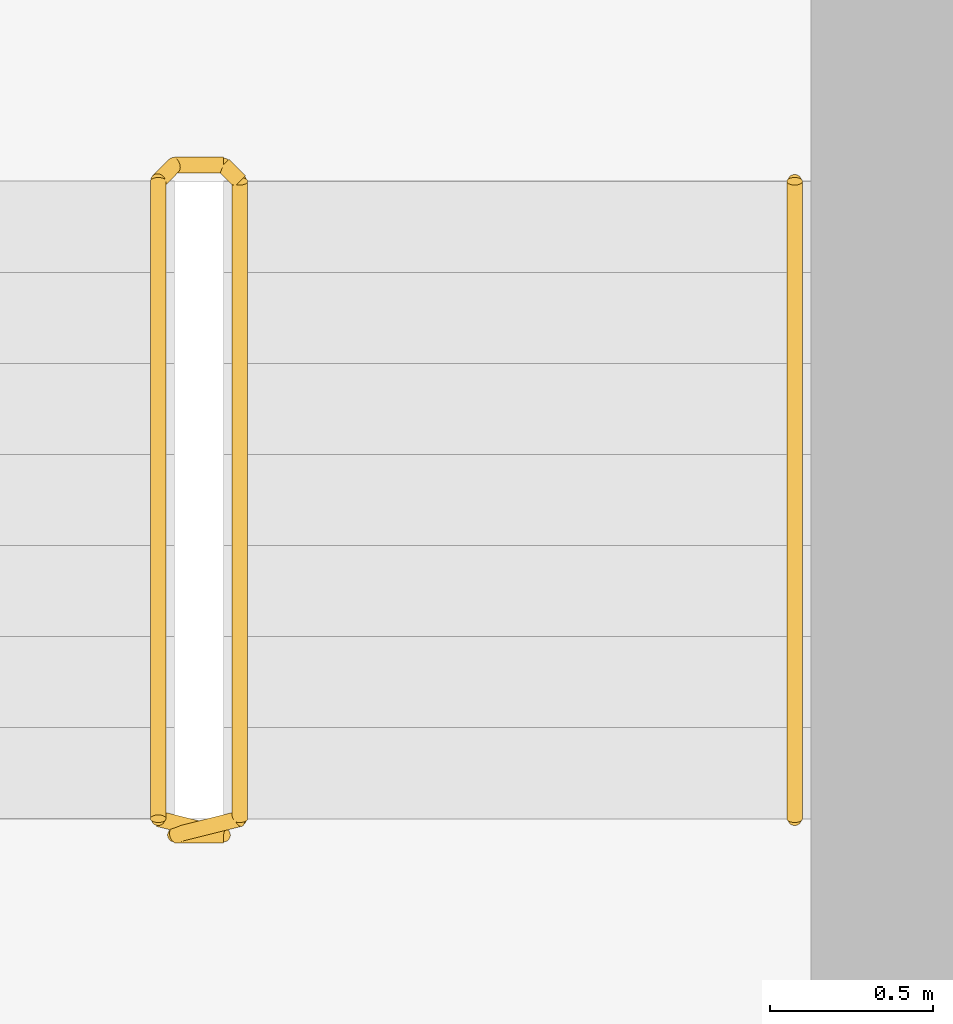
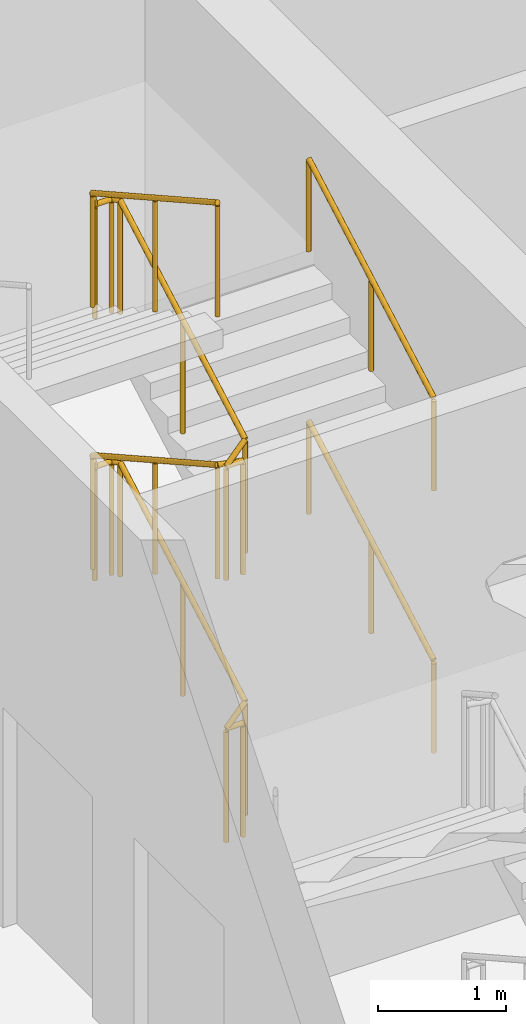
# One storey, part 22 of 22: 3 railings.
"""IFC4 building model written with IfcOpenShell, lengths in metres."""

from ifc_helpers import new_model, si_unit, direction, frame, origin, origin_2d, place, context, subcontext, project, spatial, circle, extrude, material, type_object, element, save


model = new_model("IFC4")

# Units and contexts
model_context = context("Model", 3, precision=1e-05, world=origin(), true_north=direction((0.0, 1.0)))
body_context = subcontext(model_context, "Body", "Model", "MODEL_VIEW")
ifc_project = project(units=[si_unit("LENGTHUNIT", "METRE"), si_unit("AREAUNIT", "SQUARE_METRE"), si_unit("VOLUMEUNIT", "CUBIC_METRE"), si_unit("PLANEANGLEUNIT", "RADIAN"), si_unit("MASSUNIT", "GRAM", prefix="KILO")], contexts=[model_context])

# Site, building, storey
site_placement = place(None, origin())
site = spatial("IfcSite", under=ifc_project, at=site_placement, CompositionType="ELEMENT")
building_placement = place(site_placement, origin())
building = spatial("IfcBuilding", under=site, at=building_placement, Name="Calabash Gate Tower", CompositionType="ELEMENT")
storey_placement = place(building_placement, frame((0.0, 0.0, 86.800048828125)))
storey = spatial("IfcBuildingStorey", under=building, at=storey_placement, Name="L18", CompositionType="ELEMENT", Elevation=86.800048828125)

# Railings
ifc_material_1 = material(Name="Black powder-coated steel balusters", Category="steel")
railing_type_1 = type_object("IfcRailingType", Name="Stair guard RL1100", PredefinedType="GUARDRAIL", material=ifc_material_1)
railing_placement = place(storey_placement, frame((10.300048828125, 13.902587890625, 0.0)))
element("IfcRailing", 1, at=railing_placement, inside=storey, type_object=railing_type_1, Name="L18 ST3 stair guard 1", PredefinedType="GUARDRAIL", context=body_context, shape_type="SweptSolid", body=[
    extrude(circle(Radius=0.02392578125, at=origin_2d()), frame((0.0, 0.0, 1.076171875), z_axis=(-1.0, 0.0, 0.0), x_axis=(0.0, -1.0, 0.0)), (0.0, 0.0, 1.0), 0.150146484375),
    extrude(circle(Radius=0.02392578125, at=origin_2d()), frame((-0.150146484375, 0.0, 1.076171875), z_axis=(0.773438643492, 0.193359660873, 0.603659429067), x_axis=(-0.242535625036, 0.970142500145, 0.0)), (0.0, 0.0, 1.0), 0.2587890625),
    extrude(circle(Radius=0.02392578125, at=origin_2d()), frame((0.050048828125, 0.050048828125, 1.232421875), z_axis=(0.0, 0.872479975208, 0.48864986735), x_axis=(-1.0, 0.0, 0.0)), (0.0, 0.0, 1.0), 2.23828125),
    extrude(circle(Radius=0.02392578125, at=origin_2d()), frame((0.050048828125, 2.0029296875, 2.326171875), z_axis=(-0.707106781187, 0.707106781187, 0.0), x_axis=(-0.707106781187, -0.707106781187, 0.0)), (0.0, 0.0, 1.0), 0.07080078125),
    extrude(circle(Radius=0.02392578125, at=origin_2d()), frame((0.0, 2.052978515625, 2.326171875), z_axis=(-1.0, 0.0, 0.0), x_axis=(0.0, -1.0, 0.0)), (0.0, 0.0, 1.0), 0.150146484375),
    extrude(circle(Radius=0.02392578125, at=origin_2d()), frame((-0.150146484375, 2.052978515625, 2.326171875), z_axis=(-0.290469530425, -0.291893400672, 0.911276958196), x_axis=(0.708833529934, -0.705375805398, 0.0)), (0.0, 0.0, 1.0), 0.17138671875),
    extrude(circle(Radius=0.02392578125, at=origin_2d()), frame((-0.199951171875, 2.0029296875, 2.482421875), z_axis=(0.0, -0.872479975208, 0.48864986735), x_axis=(1.0, 0.0, 0.0)), (0.0, 0.0, 1.0), 2.23828125),
    extrude(circle(Radius=0.02392578125, at=origin_2d()), frame((-0.199951171875, 0.050048828125, 3.576171875), z_axis=(0.970072785993, -0.242814311512, 0.0), x_axis=(0.242814311512, 0.970072785993, 0.0)), (0.0, 0.0, 1.0), 0.2060546875),
    extrude(circle(Radius=0.02392578125, at=origin_2d()), frame((0.0, 0.0, 3.576171875), z_axis=(-1.0, 0.0, 0.0), x_axis=(0.0, -1.0, 0.0)), (0.0, 0.0, 1.0), 0.150146484375),
    extrude(circle(Radius=0.02392578125, at=origin_2d()), frame((-0.150146484375, 0.0, 3.576171875), z_axis=(0.773438643492, 0.193359660873, 0.603659429067), x_axis=(-0.242535625036, 0.970142500145, 0.0)), (0.0, 0.0, 1.0), 0.2587890625),
    extrude(circle(Radius=0.02392578125, at=origin_2d()), frame((0.050048828125, 0.050048828125, 3.732421875), z_axis=(0.0, 0.872479975208, 0.48864986735), x_axis=(-1.0, 0.0, 0.0)), (0.0, 0.0, 1.0), 2.23828125),
    extrude(circle(Radius=0.02392578125, at=origin_2d()), frame((0.050048828125, 2.0029296875, 4.826171875), z_axis=(-0.707106781187, 0.707106781187, 0.0), x_axis=(-0.707106781187, -0.707106781187, 0.0)), (0.0, 0.0, 1.0), 0.07080078125),
    extrude(circle(Radius=0.02392578125, at=origin_2d()), frame((0.0, 2.052978515625, 4.826171875), z_axis=(-1.0, 0.0, 0.0), x_axis=(0.0, -1.0, 0.0)), (0.0, 0.0, 1.0), 0.150146484375),
    extrude(circle(Radius=0.02392578125, at=origin_2d()), frame((-0.150146484375, 2.052978515625, 4.826171875), z_axis=(-0.290469530425, -0.291893400672, 0.911276958196), x_axis=(0.708833529934, -0.705375805398, 0.0)), (0.0, 0.0, 1.0), 0.17138671875),
    extrude(circle(Radius=0.02392578125, at=origin_2d()), frame((-0.199951171875, 2.0029296875, 4.982421875), z_axis=(0.0, -0.872479975208, 0.48864986735), x_axis=(1.0, 0.0, 0.0)), (0.0, 0.0, 1.0), 2.23828125),
    extrude(circle(Radius=0.02099609375, at=origin_2d()), origin(), (0.0, 0.0, 1.0), 1.052001953125),
    extrude(circle(Radius=0.02099609375, at=origin_2d()), frame((-0.150146484375, 0.0, 0.0)), (0.0, 0.0, 1.0), 1.052001953125),
    extrude(circle(Radius=0.02099609375, at=origin_2d()), frame((0.050048828125, 0.050048828125, 0.15625)), (0.0, 0.0, 1.0), 1.052001953125),
    extrude(circle(Radius=0.02099609375, at=origin_2d()), frame((0.050048828125, 1.0263671875, 0.703125)), (0.0, 0.0, 1.0), 1.052001953125),
    extrude(circle(Radius=0.02099609375, at=origin_2d()), frame((0.050048828125, 2.0029296875, 1.25)), (0.0, 0.0, 1.0), 1.052001953125),
    extrude(circle(Radius=0.02099609375, at=origin_2d()), frame((0.0, 2.052978515625, 1.25)), (0.0, 0.0, 1.0), 1.052001953125),
    extrude(circle(Radius=0.02099609375, at=origin_2d()), frame((-0.150146484375, 2.052978515625, 1.25)), (0.0, 0.0, 1.0), 1.052001953125),
    extrude(circle(Radius=0.02099609375, at=origin_2d()), frame((-0.199951171875, 2.0029296875, 1.40625)), (0.0, 0.0, 1.0), 1.052001953125),
    extrude(circle(Radius=0.02099609375, at=origin_2d()), frame((-0.199951171875, 1.0263671875, 1.953125)), (0.0, 0.0, 1.0), 1.052001953125),
    extrude(circle(Radius=0.02099609375, at=origin_2d()), frame((-0.199951171875, 0.050048828125, 2.5)), (0.0, 0.0, 1.0), 1.052001953125),
    extrude(circle(Radius=0.02099609375, at=origin_2d()), frame((0.0, 0.0, 2.5)), (0.0, 0.0, 1.0), 1.052001953125),
    extrude(circle(Radius=0.02099609375, at=origin_2d()), frame((-0.150146484375, 0.0, 2.5)), (0.0, 0.0, 1.0), 1.052001953125),
    extrude(circle(Radius=0.02099609375, at=origin_2d()), frame((0.050048828125, 0.050048828125, 2.65625)), (0.0, 0.0, 1.0), 1.052001953125),
    extrude(circle(Radius=0.02099609375, at=origin_2d()), frame((0.050048828125, 1.0263671875, 3.203125)), (0.0, 0.0, 1.0), 1.052001953125),
    extrude(circle(Radius=0.02099609375, at=origin_2d()), frame((0.050048828125, 2.0029296875, 3.75)), (0.0, 0.0, 1.0), 1.052001953125),
    extrude(circle(Radius=0.02099609375, at=origin_2d()), frame((0.0, 2.052978515625, 3.75)), (0.0, 0.0, 1.0), 1.052001953125),
    extrude(circle(Radius=0.02099609375, at=origin_2d()), frame((-0.150146484375, 2.052978515625, 3.75)), (0.0, 0.0, 1.0), 1.052001953125),
    extrude(circle(Radius=0.02099609375, at=origin_2d()), frame((-0.199951171875, 2.0029296875, 3.90625)), (0.0, 0.0, 1.0), 1.052001953125),
    extrude(circle(Radius=0.02099609375, at=origin_2d()), frame((-0.199951171875, 1.0263671875, 4.453125)), (0.0, 0.0, 1.0), 1.052001953125),
    extrude(circle(Radius=0.02099609375, at=origin_2d()), frame((-0.199951171875, 0.050048828125, 5.0)), (0.0, 0.0, 1.0), 1.052001953125),
])
ifc_material_2 = material(Name="Black powder-coated steel tube 48 mm", Category="steel")
railing_type_2 = type_object("IfcRailingType", Name="Stair handrail RL900", PredefinedType="HANDRAIL", material=ifc_material_2)
for number, where, name in (
    (2, (12.050048828125, 13.95263671875, 0.15625), "L18 ST3 stair handrail 1"),
    (3, (12.050048828125, 13.95263671875, 2.65625), "L18 ST3 stair handrail 3"),
):
    element("IfcRailing", number, at=place(storey_placement, frame(where)), inside=storey, type_object=railing_type_2, Name=name, PredefinedType="HANDRAIL", context=body_context, shape_type="SweptSolid", body=[
        extrude(circle(Radius=0.02392578125, at=origin_2d()), frame((0.0, 0.0, 0.8759765625), z_axis=(0.0, 0.872479975208, 0.48864986735), x_axis=(-1.0, 0.0, 0.0)), (0.0, 0.0, 1.0), 2.23828125),
        extrude(circle(Radius=0.02099609375, at=origin_2d()), origin(), (0.0, 0.0, 1.0), 0.851806640625),
        extrude(circle(Radius=0.02099609375, at=origin_2d()), frame((0.0, 0.9765625, 0.546875)), (0.0, 0.0, 1.0), 0.851806640625),
        extrude(circle(Radius=0.02099609375, at=origin_2d()), frame((0.0, 1.952880859375, 1.09375)), (0.0, 0.0, 1.0), 0.851806640625),
    ])

save(model, "model.ifc")
